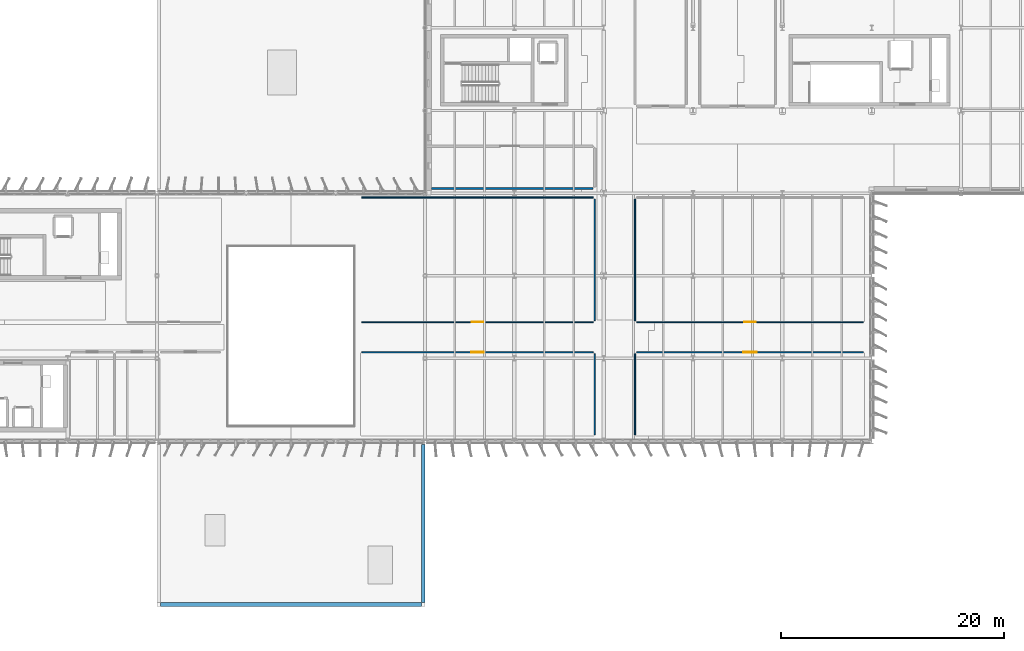
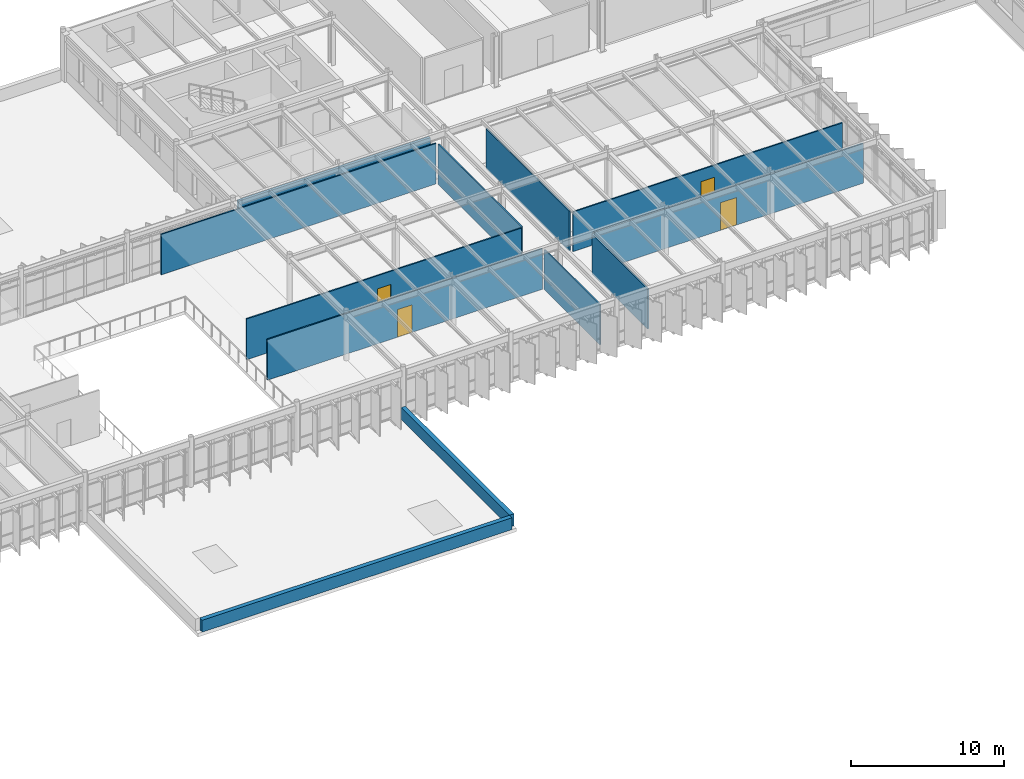
# One storey, part 39 of 56: 12 walls, 4 doors, 4 openings.
"""IFC4 building model written with IfcOpenShell, lengths in metres."""

from ifc_helpers import new_model, si_unit, direction, frame, frame_2d, origin, place, context, subcontext, project, spatial, rectangle, extrude, material, layer, layer_set, type_object, element, fill, save


model = new_model("IFC4")

# Units and contexts
model_context = context("Model", 3, precision=1e-05, world=origin(), true_north=direction((0.0, 1.0)))
body_context = subcontext(model_context, "Body", "Model", "MODEL_VIEW")
ifc_project = project(units=[si_unit("LENGTHUNIT", "METRE"), si_unit("AREAUNIT", "SQUARE_METRE"), si_unit("VOLUMEUNIT", "CUBIC_METRE"), si_unit("PLANEANGLEUNIT", "RADIAN"), si_unit("MASSUNIT", "GRAM", prefix="KILO")], contexts=[model_context])

# Site, building, storey
site_placement = place(None, origin())
site = spatial("IfcSite", under=ifc_project, at=site_placement, CompositionType="ELEMENT")
building_placement = place(site_placement, origin())
building = spatial("IfcBuilding", under=site, at=building_placement, Name="Valkorina Park Police Headquarters", CompositionType="ELEMENT")
storey_placement = place(building_placement, frame((0.0, 0.0, 14.10009765625)))
storey = spatial("IfcBuildingStorey", under=building, at=storey_placement, Name="L04", CompositionType="ELEMENT", Elevation=14.10009765625)

# Walls
ifc_material_1 = material(Name="Autoclaved aerated concrete masonry", Category="masonry")
ifc_layer_1 = layer(ifc_material_1, 0.199951171875)
ifc_layer_set_1 = layer_set([ifc_layer_1], Name="Autoclaved aerated concrete masonry")
wall_type_1 = type_object("IfcWallType", Name="WL-CORR-200-EI60", PredefinedType="STANDARD", material=ifc_layer_set_1)
wall_1_placement = place(storey_placement, frame((81.389892578125, 59.60009765625, 0.0), z_axis=(0.0, 0.0, 1.0), x_axis=(1.0, 0.0, 0.0)))
element("IfcWall", 1, at=wall_1_placement, inside=storey, type_object=wall_type_1, Name="L04 Interior Partition 0212 (L04-V2-01)", PredefinedType="STANDARD", context=body_context, shape_type="SweptSolid", body=[
    extrude(rectangle(XDim=14.47021484375, YDim=0.199951171875, at=frame_2d((7.235107421875, 0.0))), origin(), (0.0, 0.0, 1.0), 3.22998046875),
])
ifc_material_2 = material(Name="Precast concrete C40/50", Category="concrete")
ifc_layer_2 = layer(ifc_material_2, 0.320068359375)
ifc_layer_set_2 = layer_set([ifc_layer_2], Name="Precast concrete C40/50")
wall_type_2 = type_object("IfcWallType", Name="WL-PARAPET-320", PredefinedType="PARAPET", material=ifc_layer_set_2)
wall_2_placement = place(storey_placement, frame((80.47998046875, 22.360107421875, 0.0), z_axis=(0.0, 0.0, 1.0), x_axis=(-1.0, 0.0, 0.0)))
element("IfcWall", 2, at=wall_2_placement, inside=storey, type_object=wall_type_2, Name="L04 Precast Roof Parapet 5", PredefinedType="PARAPET", context=body_context, shape_type="SweptSolid", body=[
    extrude(rectangle(XDim=23.35986328125, YDim=0.320068359375, at=frame_2d((11.679931640625, 0.0))), origin(), (0.0, 0.0, 1.0), 0.949951171875),
])
wall_3_placement = place(storey_placement, frame((80.639892578125, 36.679931640625, 0.0), z_axis=(0.0, 0.0, 1.0), x_axis=(0.0, -1.0, 0.0)))
element("IfcWall", 3, at=wall_3_placement, inside=storey, type_object=wall_type_2, Name="L04 Precast Roof Parapet 7", PredefinedType="PARAPET", context=body_context, shape_type="SweptSolid", body=[
    extrude(rectangle(XDim=14.159912109375, YDim=0.320068359375, at=frame_2d((7.080078125, 0.0))), origin(), (0.0, 0.0, 1.0), 0.949951171875),
])

# Wall, opening, door
ifc_material_3 = material(Name="Gypsum plasterboard")
ifc_layer_3 = layer(ifc_material_3, 0.10009765625)
ifc_layer_set_3 = layer_set([ifc_layer_3], Name="Gypsum plasterboard")
wall_type_3 = type_object("IfcWallType", Name="WL-PART-100", PredefinedType="PARTITIONING", material=ifc_layer_set_3)
wall_4_placement = place(storey_placement, frame((75.139892578125, 44.949951171875, 0.0), z_axis=(0.0, 0.0, 1.0), x_axis=(1.0, 0.0, 0.0)))
wall_4 = element("IfcWall", 4, at=wall_4_placement, inside=storey, type_object=wall_type_3, Name="L04 Interior Partition 0202 (L04-V5-05)", PredefinedType="PARTITIONING", context=body_context, shape_type="SweptSolid", body=[
    extrude(rectangle(XDim=20.72021484375, YDim=0.10009765625, at=frame_2d((10.360107421875, 0.0))), origin(), (0.0, 0.0, 1.0), 3.244873046875),
])
opening_1_placement = place(wall_4_placement, frame((9.81005859375, 0.0, 0.0)))
opening_1 = element("IfcOpeningElement", 5, at=opening_1_placement, cuts=wall_4, Name="Opening ID-05", PredefinedType="OPENING", context=body_context, shape_type="SweptSolid", body=[
    extrude(rectangle(XDim=1.10009765625, YDim=2.199951171875, at=frame_2d((0.550048828125, 1.10009765625))), frame((0.0, 0.06005859375, 0.0), z_axis=(0.0, -1.0, 0.0), x_axis=(1.0, 0.0, 0.0)), (0.0, 0.0, 1.0), 0.1201171875),
])
ifc_material_4 = material(Name="Thermally broken aluminium AW-6060", Category="aluminium")
ifc_layer_4 = layer(ifc_material_4, 0.050048828125)
ifc_layer_set_4 = layer_set([ifc_layer_4], Name="Thermally broken aluminium AW-6060")
door_type_1 = type_object("IfcDoorType", Name="DR-INT-INV-1100x2200", OperationType="NOTDEFINED", PredefinedType="DOOR", material=ifc_layer_set_4)
door_1_placement = place(opening_1_placement, origin())
door_1 = element("IfcDoor", 6, at=door_1_placement, inside=storey, type_object=door_type_1, Name="Door D-L04-I096 (L04-V5-05)", OperationType="SINGLE_SWING_LEFT", OverallHeight=2.199951171875, OverallWidth=1.10009765625, PredefinedType="DOOR", context=body_context, shape_type="SweptSolid", body=[
    extrude(rectangle(XDim=1.10009765625, YDim=2.199951171875, at=frame_2d((0.550048828125, 1.10009765625))), frame((0.0, 0.02490234375, 0.0), z_axis=(0.0, -1.0, 0.0), x_axis=(1.0, 0.0, 0.0)), (0.0, 0.0, 1.0), 0.050048828125),
])
fill(opening_1, door_1)

# Wall
wall_5_placement = place(storey_placement, frame((96.0, 37.5400390625, 0.0), z_axis=(0.0, 0.0, 1.0), x_axis=(0.0, 1.0, 0.0)))
element("IfcWall", 7, at=wall_5_placement, inside=storey, type_object=wall_type_3, Name="L04 Interior Partition 0203 (L04-V5-05)", PredefinedType="PARTITIONING", context=body_context, shape_type="SweptSolid", body=[
    extrude(rectangle(XDim=7.27001953125, YDim=0.10009765625, at=frame_2d((3.635009765625, 0.0))), origin(), (0.0, 0.0, 1.0), 3.184814453125),
])

# Wall, opening, door
wall_6_placement = place(storey_placement, frame((75.139892578125, 47.64990234375, 0.0), z_axis=(0.0, 0.0, 1.0), x_axis=(1.0, 0.0, 0.0)))
wall_6 = element("IfcWall", 8, at=wall_6_placement, inside=storey, type_object=wall_type_3, Name="L04 Interior Partition 0204 (L04-V5-06)", PredefinedType="PARTITIONING", context=body_context, shape_type="SweptSolid", body=[
    extrude(rectangle(XDim=20.72021484375, YDim=0.10009765625, at=frame_2d((10.360107421875, 0.0))), origin(), (0.0, 0.0, 1.0), 3.244873046875),
])
opening_2_placement = place(wall_6_placement, frame((9.860107421875, 0.0, 0.0)))
opening_2 = element("IfcOpeningElement", 9, at=opening_2_placement, cuts=wall_6, Name="Opening ID-04", PredefinedType="OPENING", context=body_context, shape_type="SweptSolid", body=[
    extrude(rectangle(XDim=1.0, YDim=2.199951171875, at=frame_2d((0.5, 1.10009765625))), frame((0.0, 0.06005859375, 0.0), z_axis=(0.0, -1.0, 0.0), x_axis=(1.0, 0.0, 0.0)), (0.0, 0.0, 1.0), 0.1201171875),
])
ifc_layer_5 = layer(ifc_material_4, 0.050048828125)
ifc_layer_set_5 = layer_set([ifc_layer_5], Name="Thermally broken aluminium AW-6060")
door_type_2 = type_object("IfcDoorType", Name="DR-INT-OFF-1000x2200", OperationType="NOTDEFINED", PredefinedType="DOOR", material=ifc_layer_set_5)
door_2_placement = place(opening_2_placement, origin())
door_2 = element("IfcDoor", 10, at=door_2_placement, inside=storey, type_object=door_type_2, Name="Door D-L04-I097 (L04-V5-06)", OperationType="SINGLE_SWING_RIGHT", OverallHeight=2.199951171875, OverallWidth=1.0, PredefinedType="DOOR", context=body_context, shape_type="SweptSolid", body=[
    extrude(rectangle(XDim=1.0, YDim=2.199951171875, at=frame_2d((0.5, 1.10009765625))), frame((0.0, 0.02490234375, 0.0), z_axis=(0.0, -1.0, 0.0), x_axis=(1.0, 0.0, 0.0)), (0.0, 0.0, 1.0), 0.050048828125),
])
fill(opening_2, door_2)

# Walls
wall_7_placement = place(storey_placement, frame((75.139892578125, 58.800048828125, 0.0), z_axis=(0.0, 0.0, 1.0), x_axis=(1.0, 0.0, 0.0)))
element("IfcWall", 11, at=wall_7_placement, inside=storey, type_object=wall_type_3, Name="L04 Interior Partition 0205 (L04-V5-06)", PredefinedType="PARTITIONING", context=body_context, shape_type="SweptSolid", body=[
    extrude(rectangle(XDim=20.72021484375, YDim=0.10009765625, at=frame_2d((10.360107421875, 0.0))), origin(), (0.0, 0.0, 1.0), 3.22998046875),
])
wall_8_placement = place(storey_placement, frame((96.0, 47.7900390625, 0.0), z_axis=(0.0, 0.0, 1.0), x_axis=(0.0, 1.0, 0.0)))
element("IfcWall", 12, at=wall_8_placement, inside=storey, type_object=wall_type_3, Name="L04 Interior Partition 0206 (L04-V5-06)", PredefinedType="PARTITIONING", context=body_context, shape_type="SweptSolid", body=[
    extrude(rectangle(XDim=10.869873046875, YDim=0.10009765625, at=frame_2d((5.43505859375, 0.0))), origin(), (0.0, 0.0, 1.0), 3.184814453125),
])

# Wall, opening, door
wall_9_placement = place(storey_placement, frame((99.739990234375, 47.64990234375, 0.0), z_axis=(0.0, 0.0, 1.0), x_axis=(1.0, 0.0, 0.0)))
wall_9 = element("IfcWall", 13, at=wall_9_placement, inside=storey, type_object=wall_type_3, Name="L04 Interior Partition 0209 (L04-V5-08)", PredefinedType="PARTITIONING", context=body_context, shape_type="SweptSolid", body=[
    extrude(rectangle(XDim=20.320068359375, YDim=0.10009765625, at=frame_2d((10.16015625, 0.0))), origin(), (0.0, 0.0, 1.0), 3.159912109375),
])
opening_3_placement = place(wall_9_placement, frame((9.659912109375, 0.0, 0.0)))
opening_3 = element("IfcOpeningElement", 14, at=opening_3_placement, cuts=wall_9, Name="Opening ID-04", PredefinedType="OPENING", context=body_context, shape_type="SweptSolid", body=[
    extrude(rectangle(XDim=1.0, YDim=2.199951171875, at=frame_2d((0.5, 1.10009765625))), frame((0.0, 0.06005859375, 0.0), z_axis=(0.0, -1.0, 0.0), x_axis=(1.0, 0.0, 0.0)), (0.0, 0.0, 1.0), 0.1201171875),
])
door_3_placement = place(opening_3_placement, origin())
door_3 = element("IfcDoor", 15, at=door_3_placement, inside=storey, type_object=door_type_2, Name="Door D-L04-I099 (L04-V5-08)", OperationType="SINGLE_SWING_RIGHT", OverallHeight=2.199951171875, OverallWidth=1.0, PredefinedType="DOOR", context=body_context, shape_type="SweptSolid", body=[
    extrude(rectangle(XDim=1.0, YDim=2.199951171875, at=frame_2d((0.5, 1.10009765625))), frame((0.0, 0.02490234375, 0.0), z_axis=(0.0, -1.0, 0.0), x_axis=(1.0, 0.0, 0.0)), (0.0, 0.0, 1.0), 0.050048828125),
])
fill(opening_3, door_3)

# Wall
wall_10_placement = place(storey_placement, frame((99.60009765625, 47.7900390625, 0.0), z_axis=(0.0, 0.0, 1.0), x_axis=(0.0, 1.0, 0.0)))
element("IfcWall", 16, at=wall_10_placement, inside=storey, type_object=wall_type_3, Name="L04 Interior Partition 0211 (L04-V5-08)", PredefinedType="PARTITIONING", context=body_context, shape_type="SweptSolid", body=[
    extrude(rectangle(XDim=10.869873046875, YDim=0.10009765625, at=frame_2d((5.43505859375, 0.0))), origin(), (0.0, 0.0, 1.0), 3.184814453125),
])

# Wall, opening, door
ifc_layer_6 = layer(ifc_material_3, 0.125)
ifc_layer_set_6 = layer_set([ifc_layer_6], Name="Gypsum plasterboard")
wall_type_4 = type_object("IfcWallType", Name="WL-PART-125-EI30", PredefinedType="PARTITIONING", material=ifc_layer_set_6)
wall_11_placement = place(storey_placement, frame((99.739990234375, 44.949951171875, 0.0), z_axis=(0.0, 0.0, 1.0), x_axis=(1.0, 0.0, 0.0)))
wall_11 = element("IfcWall", 17, at=wall_11_placement, inside=storey, type_object=wall_type_4, Name="L04 Interior Partition 0207 (L04-V5-07)", PredefinedType="PARTITIONING", context=body_context, shape_type="SweptSolid", body=[
    extrude(rectangle(XDim=20.320068359375, YDim=0.125, at=frame_2d((10.16015625, 0.0))), origin(), (0.0, 0.0, 1.0), 3.159912109375),
])
opening_4_placement = place(wall_11_placement, frame((9.56005859375, 0.0, 0.0)))
opening_4 = element("IfcOpeningElement", 18, at=opening_4_placement, cuts=wall_11, Name="Opening ID-06", PredefinedType="OPENING", context=body_context, shape_type="SweptSolid", body=[
    extrude(rectangle(XDim=1.199951171875, YDim=2.199951171875, at=frame_2d((0.60009765625, 1.10009765625))), frame((0.0, 0.072509765625, 0.0), z_axis=(0.0, -1.0, 0.0), x_axis=(1.0, 0.0, 0.0)), (0.0, 0.0, 1.0), 0.14501953125),
])
ifc_layer_7 = layer(ifc_material_4, 0.050048828125)
ifc_layer_set_7 = layer_set([ifc_layer_7], Name="Thermally broken aluminium AW-6060")
door_type_3 = type_object("IfcDoorType", Name="DR-INT-LAB-1200x2200", OperationType="NOTDEFINED", PredefinedType="DOOR", material=ifc_layer_set_7)
door_4_placement = place(opening_4_placement, origin())
door_4 = element("IfcDoor", 19, at=door_4_placement, inside=storey, type_object=door_type_3, Name="Door D-L04-I098 (L04-V5-07)", OperationType="SINGLE_SWING_LEFT", OverallHeight=2.199951171875, OverallWidth=1.199951171875, PredefinedType="DOOR", context=body_context, shape_type="SweptSolid", body=[
    extrude(rectangle(XDim=1.199951171875, YDim=2.199951171875, at=frame_2d((0.60009765625, 1.10009765625))), frame((0.0, 0.02490234375, 0.0), z_axis=(0.0, -1.0, 0.0), x_axis=(1.0, 0.0, 0.0)), (0.0, 0.0, 1.0), 0.050048828125),
])
fill(opening_4, door_4)

# Wall
wall_12_placement = place(storey_placement, frame((99.60009765625, 37.5400390625, 0.0), z_axis=(0.0, 0.0, 1.0), x_axis=(0.0, 1.0, 0.0)))
element("IfcWall", 20, at=wall_12_placement, inside=storey, type_object=wall_type_4, Name="L04 Interior Partition 0208 (L04-V5-07)", PredefinedType="PARTITIONING", context=body_context, shape_type="SweptSolid", body=[
    extrude(rectangle(XDim=7.27001953125, YDim=0.125, at=frame_2d((3.635009765625, 0.0))), origin(), (0.0, 0.0, 1.0), 3.184814453125),
])

save(model, "model.ifc")
